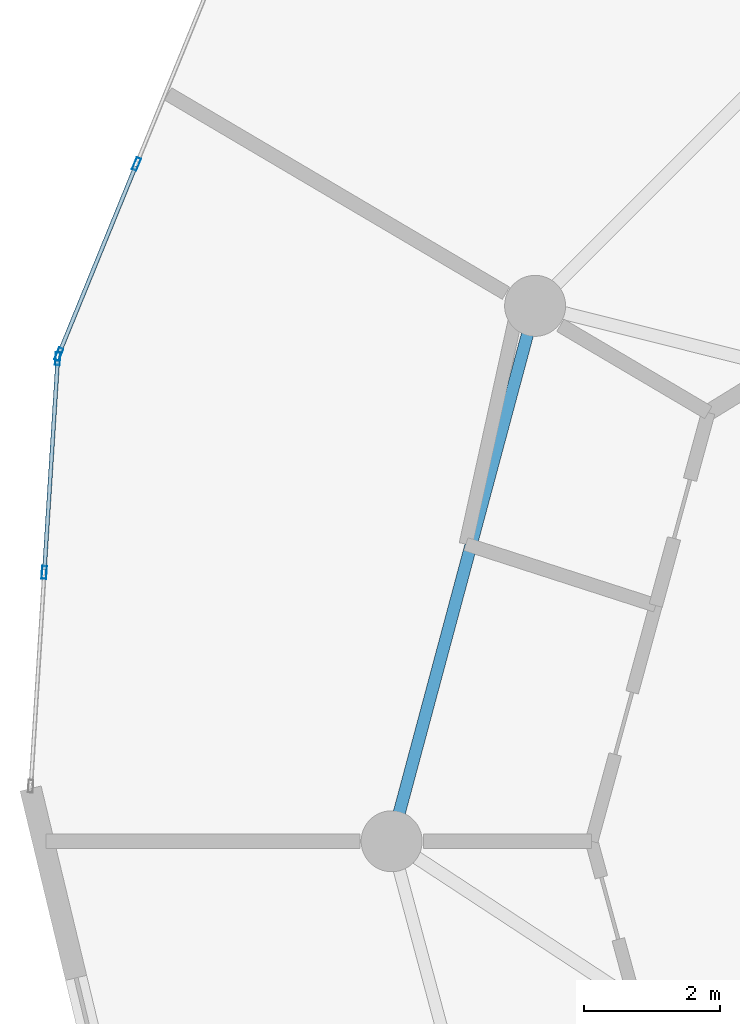
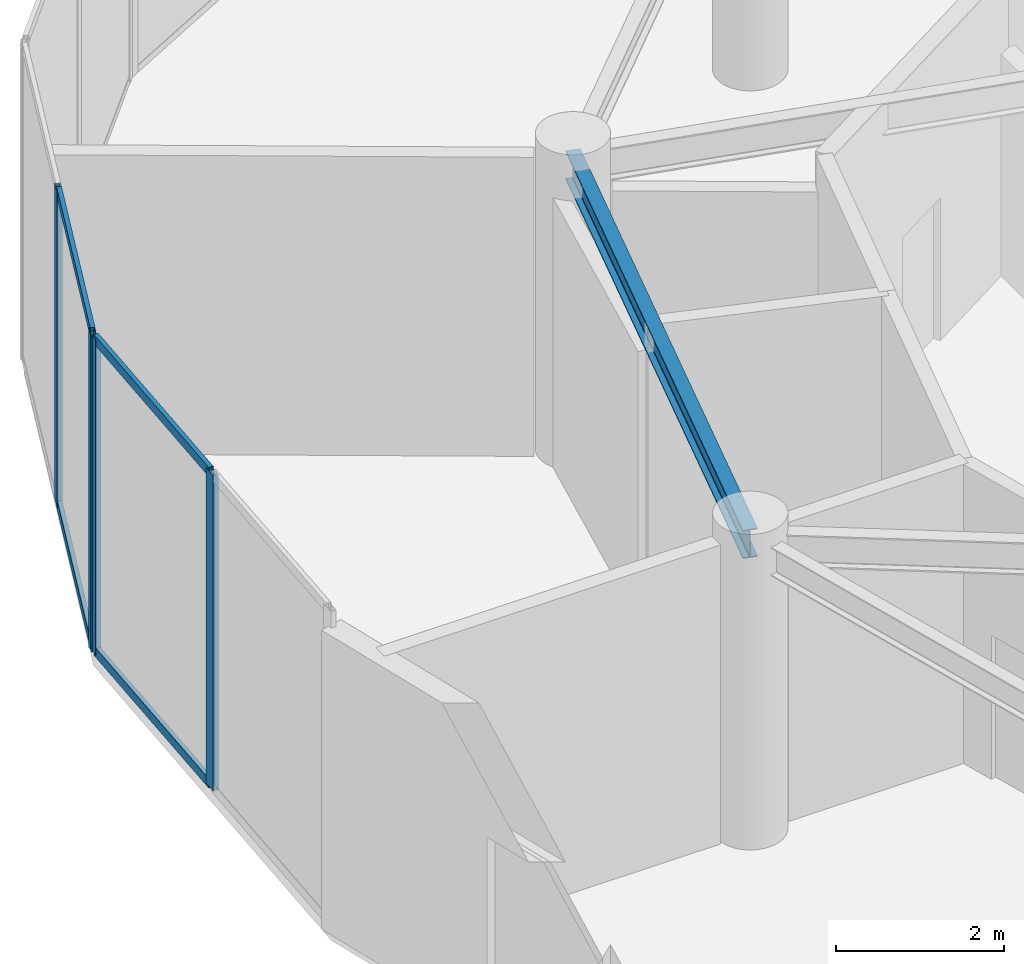
# One storey, part 9 of 23: 8 members, 1 beam, 2 elements without a shape of their own.
"""IFC4 building model written with IfcOpenShell, lengths in metres."""

from ifc_helpers import new_model, si_unit, direction, frame, origin, origin_2d, place, context, subcontext, project, spatial, hollow_rectangle, i_section, extrude, source, transform, mapped, material, layer, layer_set, material_profile, profile_set, type_object, element, aggregate, save


model = new_model("IFC4")

# Units and contexts
model_context = context("Model", 3, precision=1e-05, world=origin(), true_north=direction((0.0, 1.0)))
body_context = subcontext(model_context, "Body", "Model", "MODEL_VIEW")
ifc_project = project(units=[si_unit("LENGTHUNIT", "METRE"), si_unit("AREAUNIT", "SQUARE_METRE"), si_unit("VOLUMEUNIT", "CUBIC_METRE"), si_unit("PLANEANGLEUNIT", "RADIAN"), si_unit("MASSUNIT", "GRAM", prefix="KILO")], contexts=[model_context])

# Site, building, storey
site_placement = place(None, origin())
site = spatial("IfcSite", under=ifc_project, at=site_placement, CompositionType="ELEMENT")
building_placement = place(site_placement, origin())
building = spatial("IfcBuilding", under=site, at=building_placement, Name="Solvirekh Grand Hotel", CompositionType="ELEMENT")
storey_placement = place(building_placement, frame((0.0, 0.0, 168.60009765625)))
storey = spatial("IfcBuildingStorey", under=building, at=storey_placement, Name="L43", CompositionType="ELEMENT", Elevation=168.60009765625)

# Beam
ifc_material_1 = material(Name="Steel S355", Category="steel")
ifc_material_profile_1 = material_profile(ifc_material_1, i_section(OverallWidth=0.180908203125, OverallDepth=0.4169921875, WebThickness=0.010009765625, FlangeThickness=0.01611328125, FilletRadius=0.011962890625, at=origin_2d()), Name="W410X85")
ifc_profile_set_1 = profile_set([ifc_material_profile_1], Name="Steel S355")
beam_type = type_object("IfcBeamType", Name="Spandrel_Ring_W410", PredefinedType="SPANDREL", material=ifc_profile_set_1)
beam_placement = place(storey_placement, frame((-13.68310546875, 7.89990234375, 4.15185546875), z_axis=(-0.258838541915, -0.965920601923, 0.0), x_axis=(0.965920601923, -0.258838541915, 0.0)))
element("IfcBeam", 1, at=beam_placement, inside=storey, type_object=beam_type, Name="L43 perimeter spandrel beam 6", PredefinedType="SPANDREL", context=body_context, shape_type="SweptSolid", body=[
    extrude(i_section(OverallWidth=0.180908203125, OverallDepth=0.4169921875, WebThickness=0.010009765625, FlangeThickness=0.01611328125, FilletRadius=0.011962890625, at=origin_2d()), origin(), (0.0, 0.0, 1.0), 8.1787109375),
])

# Curtain wall, members
ifc_material_2 = material(Name="Anodized Bronze Aluminium 6063-T6", Category="aluminium")
ifc_layer = layer(ifc_material_2, 0.18994140625)
ifc_layer_set = layer_set([ifc_layer], Name="Anodized Bronze Aluminium 6063-T6")
curtain_wall_type = type_object("IfcCurtainWallType", Name="CW_Sys5_SkyLobbyPanoramaCW", PredefinedType="NOTDEFINED", material=ifc_layer_set)
curtain_wall_1_placement = place(storey_placement, origin())
curtain_wall_1 = element("IfcCurtainWall", 2, at=curtain_wall_1_placement, inside=storey, type_object=curtain_wall_type, Name="L43 unitised bronze-glass curtain wall CW-L43-C12", PredefinedType="NOTDEFINED")
ifc_material_profile_2 = material_profile(ifc_material_2, hollow_rectangle(XDim=0.070068359375, YDim=0.18994140625, WallThickness=0.0048828125, at=origin_2d()), Name="ALU RHS 190X70X5")
ifc_profile_set_2 = profile_set([ifc_material_profile_2], Name="Anodized Bronze Aluminium 6063-T6")
member_type_1 = type_object("IfcMemberType", Name="CWMullion_Sys5", PredefinedType="MULLION", material=ifc_profile_set_2)
shared_shape_1 = source(origin(), body_context, "Body", "SweptSolid", [
    extrude(hollow_rectangle(XDim=0.070068359375, YDim=0.18994140625, WallThickness=0.0048828125, at=origin_2d()), origin(), (0.0, 0.0, 1.0), 4.599853515625),
])
member_1_placement = place(storey_placement, frame((-19.564453125, 9.992919921875, 0.0), z_axis=(0.0, 0.0, 1.0), x_axis=(0.925718325904, -0.378213671203, 0.0)))
member_1 = element("IfcMember", 3, at=member_1_placement, type_object=member_type_1, Name="U05 mullion 2", PredefinedType="MULLION", context=body_context, shape_type="MappedRepresentation", body=[
    mapped(shared_shape_1, transform((0.0, 0.0, 0.0), x_axis=(1.0, 0.0, 0.0), y_axis=(0.0, 1.0, 0.0), z_axis=(0.0, 0.0, 1.0), scale=1.0)),
])
member_2_placement = place(storey_placement, frame((-20.710693359375, 7.1875, 0.0), z_axis=(0.0, 0.0, 1.0), x_axis=(0.925718325904, -0.378213671203, 0.0)))
member_2 = element("IfcMember", 4, at=member_2_placement, type_object=member_type_1, Name="U05 mullion 3", PredefinedType="MULLION", context=body_context, shape_type="MappedRepresentation", body=[
    mapped(shared_shape_1, transform((0.0, 0.0, 0.0), x_axis=(1.0, 0.0, 0.0), y_axis=(0.0, 1.0, 0.0), z_axis=(0.0, 0.0, 1.0), scale=1.0)),
])

curtain_wall_2_placement = place(storey_placement, origin())
curtain_wall_2 = element("IfcCurtainWall", 5, at=curtain_wall_2_placement, inside=storey, type_object=curtain_wall_type, Name="L43 unitised bronze-glass curtain wall CW-L43-C13", PredefinedType="NOTDEFINED")
member_3_placement = place(storey_placement, frame((-20.726318359375, 7.1201171875, 0.0), z_axis=(0.0, 0.0, 1.0), x_axis=(0.997999239989, -0.063225920175, 0.0)))
member_3 = element("IfcMember", 6, at=member_3_placement, type_object=member_type_1, Name="U05 mullion 1", PredefinedType="MULLION", context=body_context, shape_type="MappedRepresentation", body=[
    mapped(shared_shape_1, transform((0.0, 0.0, 0.0), x_axis=(1.0, 0.0, 0.0), y_axis=(0.0, 1.0, 0.0), z_axis=(0.0, 0.0, 1.0), scale=1.0)),
])
member_4_placement = place(storey_placement, frame((-20.926025390625, 3.966552734375, 0.0), z_axis=(0.0, 0.0, 1.0), x_axis=(0.997999239989, -0.063225920175, 0.0)))
member_4 = element("IfcMember", 7, at=member_4_placement, type_object=member_type_1, Name="U05 mullion 2", PredefinedType="MULLION", context=body_context, shape_type="MappedRepresentation", body=[
    mapped(shared_shape_1, transform((0.0, 0.0, 0.0), x_axis=(1.0, 0.0, 0.0), y_axis=(0.0, 1.0, 0.0), z_axis=(0.0, 0.0, 1.0), scale=1.0)),
])

# Member
ifc_material_profile_3 = material_profile(ifc_material_2, hollow_rectangle(XDim=0.06005859375, YDim=0.135009765625, WallThickness=0.00390625, at=origin_2d()), Name="ALU RHS 135X60X4")
ifc_profile_set_3 = profile_set([ifc_material_profile_3], Name="Anodized Bronze Aluminium 6063-T6")
member_type_2 = type_object("IfcMemberType", Name="CWTransom_Sys5", PredefinedType="USERDEFINED", material=ifc_profile_set_3)
shared_shape_2 = source(origin(), body_context, "Body", "SweptSolid", [
    extrude(hollow_rectangle(XDim=0.06005859375, YDim=0.135009765625, WallThickness=0.00390625, at=origin_2d()), origin(), (0.0, 0.0, 1.0), 2.9609375),
])
member_5_placement = place(storey_placement, frame((-19.57763671875, 9.960693359375, 0.02978515625), z_axis=(-0.378218638296, -0.925716296522, 0.0), x_axis=(0.925716296522, -0.378218638296, 0.0)))
member_5 = element("IfcMember", 8, at=member_5_placement, type_object=member_type_2, Name="U05 transom 2.1", ObjectType="TRANSOM", PredefinedType="USERDEFINED", context=body_context, shape_type="MappedRepresentation", body=[
    mapped(shared_shape_2, transform((0.0, 0.0, 0.0), x_axis=(1.0, 0.0, 0.0), y_axis=(0.0, 1.0, 0.0), z_axis=(0.0, 0.0, 1.0), scale=1.0)),
])

member_6_placement = place(storey_placement, frame((-19.57763671875, 9.960693359375, 4.56982421875), z_axis=(-0.378218638296, -0.925716296522, 0.0), x_axis=(0.925716296522, -0.378218638296, 0.0)))
member_6 = element("IfcMember", 9, at=member_6_placement, type_object=member_type_2, Name="U05 transom 2.2", ObjectType="TRANSOM", PredefinedType="USERDEFINED", context=body_context, shape_type="MappedRepresentation", body=[
    mapped(shared_shape_2, transform((0.0, 0.0, 0.0), x_axis=(1.0, 0.0, 0.0), y_axis=(0.0, 1.0, 0.0), z_axis=(0.0, 0.0, 1.0), scale=1.0)),
])

aggregate(curtain_wall_1, [member_1, member_2, member_5, member_6])

shared_shape_3 = source(origin(), body_context, "Body", "SweptSolid", [
    extrude(hollow_rectangle(XDim=0.06005859375, YDim=0.135009765625, WallThickness=0.00390625, at=origin_2d()), origin(), (0.0, 0.0, 1.0), 3.08984375),
])
member_7_placement = place(storey_placement, frame((-20.728515625, 7.085205078125, 0.02978515625), z_axis=(-0.063209581187, -0.998000274973, 0.0), x_axis=(0.998000274973, -0.063209581187, 0.0)))
member_7 = element("IfcMember", 10, at=member_7_placement, type_object=member_type_2, Name="U05 transom 1.1", ObjectType="TRANSOM", PredefinedType="USERDEFINED", context=body_context, shape_type="MappedRepresentation", body=[
    mapped(shared_shape_3, transform((0.0, 0.0, 0.0), x_axis=(1.0, 0.0, 0.0), y_axis=(0.0, 1.0, 0.0), z_axis=(0.0, 0.0, 1.0), scale=1.0)),
])

member_8_placement = place(storey_placement, frame((-20.728515625, 7.085205078125, 4.56982421875), z_axis=(-0.063209581187, -0.998000274973, 0.0), x_axis=(0.998000274973, -0.063209581187, 0.0)))
member_8 = element("IfcMember", 11, at=member_8_placement, type_object=member_type_2, Name="U05 transom 1.2", ObjectType="TRANSOM", PredefinedType="USERDEFINED", context=body_context, shape_type="MappedRepresentation", body=[
    mapped(shared_shape_3, transform((0.0, 0.0, 0.0), x_axis=(1.0, 0.0, 0.0), y_axis=(0.0, 1.0, 0.0), z_axis=(0.0, 0.0, 1.0), scale=1.0)),
])

aggregate(curtain_wall_2, [member_3, member_4, member_7, member_8])

save(model, "model.ifc")
